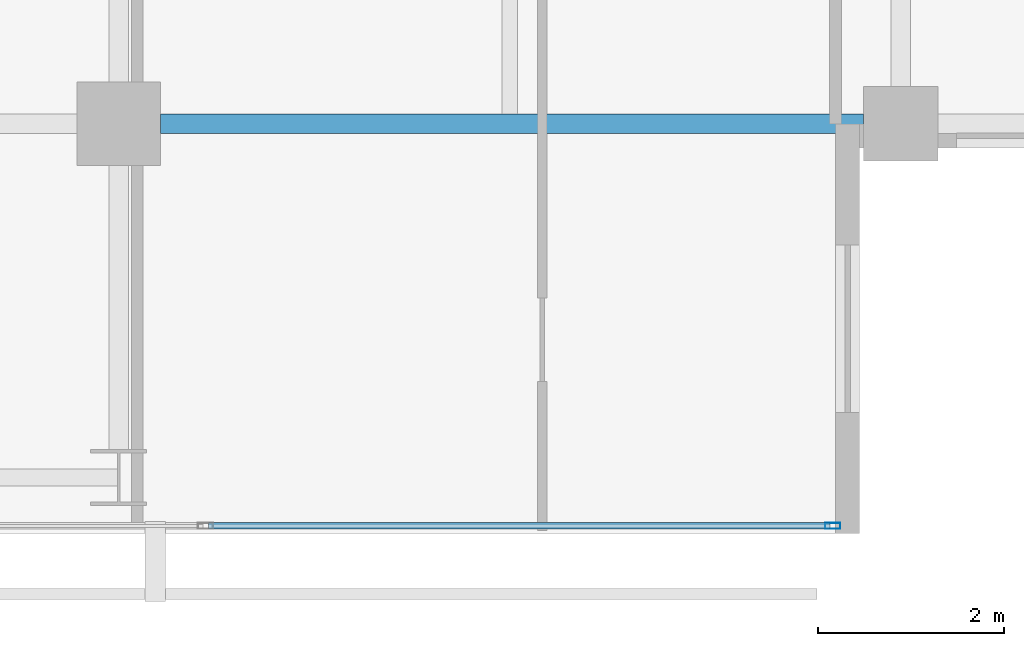
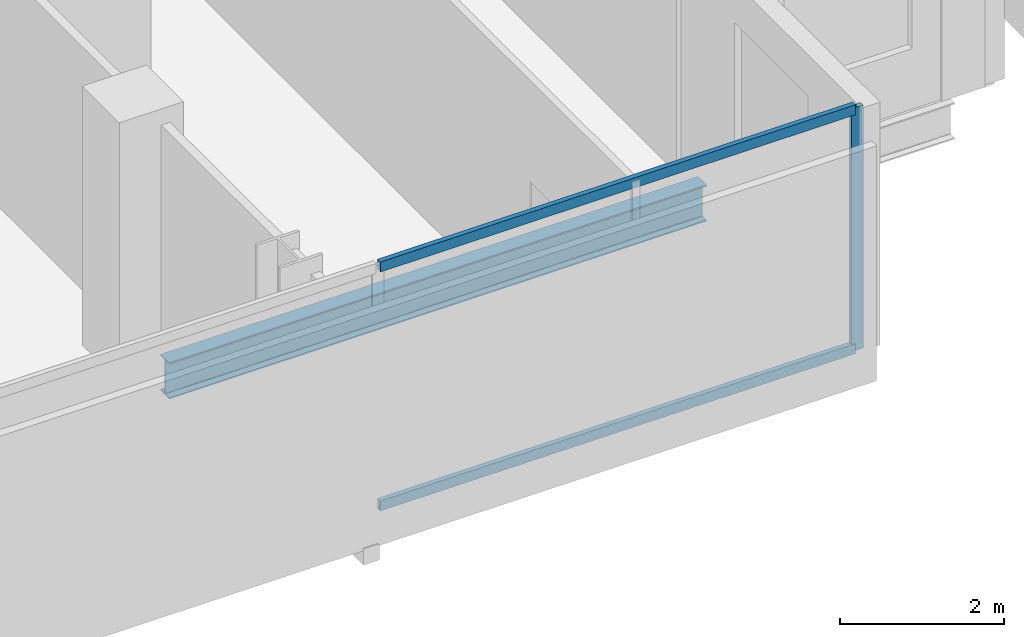
# One storey, part 13 of 34: 3 members, 1 beam, 1 element without a shape of its own.
"""IFC4 building model written with IfcOpenShell, lengths in metres."""

from ifc_helpers import new_model, si_unit, direction, frame, origin, origin_2d, place, context, subcontext, project, spatial, hollow_rectangle, i_section, extrude, material, layer, layer_set, material_profile, profile_set, type_object, element, aggregate, save


model = new_model("IFC4")

# Units and contexts
model_context = context("Model", 3, precision=1e-05, world=origin(), true_north=direction((0.0, 1.0)))
body_context = subcontext(model_context, "Body", "Model", "MODEL_VIEW")
ifc_project = project(units=[si_unit("LENGTHUNIT", "METRE"), si_unit("AREAUNIT", "SQUARE_METRE"), si_unit("VOLUMEUNIT", "CUBIC_METRE"), si_unit("PLANEANGLEUNIT", "RADIAN"), si_unit("MASSUNIT", "GRAM", prefix="KILO")], contexts=[model_context])

# Site, building, storey
site_placement = place(None, origin())
site = spatial("IfcSite", under=ifc_project, at=site_placement, CompositionType="ELEMENT")
building_placement = place(site_placement, origin())
building = spatial("IfcBuilding", under=site, at=building_placement, Name="Maruvema Waterfront Hotel and Observation Tower", CompositionType="ELEMENT")
storey_placement = place(building_placement, frame((0.0, 0.0, 215.949951171875)))
storey = spatial("IfcBuildingStorey", under=building, at=storey_placement, Name="L53", CompositionType="ELEMENT", Elevation=215.949951171875)

# Curtain wall, members
ifc_material_1 = material(Name="Anodised bronze aluminium and solar-control low-E IGU", Category="aluminium")
ifc_layer = layer(ifc_material_1, 0.159912109375, Name="Zone 2 Amber Inner Thermal Curtain Wall System CW-03")
ifc_layer_set = layer_set([ifc_layer], Name="Anodised bronze aluminium and solar-control low-E IGU")
curtain_wall_type = type_object("IfcCurtainWallType", Name="Zone 2 Amber Inner Thermal Curtain Wall System CW-03", PredefinedType="USERDEFINED", material=ifc_layer_set)
curtain_wall_placement = place(storey_placement, origin())
curtain_wall = element("IfcCurtainWall", 1, at=curtain_wall_placement, inside=storey, type_object=curtain_wall_type, Name="L53 Curtain Wall CW-L53-S", ObjectType="UNITISED CURTAIN WALL", PredefinedType="USERDEFINED")
ifc_material_2 = material(Name="Anodised architectural bronze aluminium", Category="aluminium")
ifc_material_profile_1 = material_profile(ifc_material_2, hollow_rectangle(XDim=0.070068359375, YDim=0.14990234375, WallThickness=0.00390625, at=origin_2d()), Name="ALU-T70x150")
ifc_profile_set_1 = profile_set([ifc_material_profile_1], Name="Anodised architectural bronze aluminium")
member_type_1 = type_object("IfcMemberType", Name="Curtain Wall Horizontal Transom ALU-T70x150", PredefinedType="USERDEFINED", material=ifc_profile_set_1)
member_1_placement = place(storey_placement, frame((51.36328125, 4.679931640625, 0.030029296875), z_axis=(1.0, 0.0, 0.0), x_axis=(0.0, 1.0, 0.0)))
member_1 = element("IfcMember", 2, at=member_1_placement, type_object=member_type_1, Name="CW-03 transom 6.1", ObjectType="TRANSOM", PredefinedType="USERDEFINED", context=body_context, shape_type="SweptSolid", body=[
    extrude(hollow_rectangle(XDim=0.070068359375, YDim=0.14990234375, WallThickness=0.00390625, at=origin_2d()), origin(), (0.0, 0.0, 1.0), 6.6767578125),
])
member_2_placement = place(storey_placement, frame((51.36328125, 4.679931640625, 3.580078125), z_axis=(1.0, 0.0, 0.0), x_axis=(0.0, 1.0, 0.0)))
member_2 = element("IfcMember", 3, at=member_2_placement, type_object=member_type_1, Name="CW-03 transom 6.2", ObjectType="TRANSOM", PredefinedType="USERDEFINED", context=body_context, shape_type="SweptSolid", body=[
    extrude(hollow_rectangle(XDim=0.070068359375, YDim=0.14990234375, WallThickness=0.00390625, at=origin_2d()), origin(), (0.0, 0.0, 1.0), 6.6767578125),
])
ifc_material_3 = material(Name="Anodised architectural bronze aluminium", Category="aluminium")
ifc_material_profile_2 = material_profile(ifc_material_3, hollow_rectangle(XDim=0.06494140625, YDim=0.1650390625, WallThickness=0.00390625, at=origin_2d()), Name="ALU-M65x165")
ifc_profile_set_2 = profile_set([ifc_material_profile_2], Name="Anodised architectural bronze aluminium")
member_type_2 = type_object("IfcMemberType", Name="Curtain Wall Primary Mullion ALU-M65x165", PredefinedType="MULLION", material=ifc_profile_set_2)
member_3_placement = place(storey_placement, frame((58.070068359375, 4.679931640625, 0.0), z_axis=(0.0, 0.0, 1.0), x_axis=(0.0, 1.0, 0.0)))
member_3 = element("IfcMember", 4, at=member_3_placement, type_object=member_type_2, Name="CW-03 mullion 7", PredefinedType="MULLION", context=body_context, shape_type="SweptSolid", body=[
    extrude(hollow_rectangle(XDim=0.06494140625, YDim=0.1650390625, WallThickness=0.00390625, at=origin_2d()), origin(), (0.0, 0.0, 1.0), 3.610107421875),
])
aggregate(curtain_wall, [member_3, member_1, member_2])

# Beam
ifc_material_4 = material(Name="Steel ASTM A572 Grade 50", Category="steel")
ifc_material_profile_3 = material_profile(ifc_material_4, i_section(OverallWidth=0.2109375, OverallDepth=0.5390625, WebThickness=0.01171875, FlangeThickness=0.018798828125, FilletRadius=0.014892578125, at=origin_2d()), Name="W530x109.0")
ifc_profile_set_3 = profile_set([ifc_material_profile_3], Name="Steel ASTM A572 Grade 50")
beam_type = type_object("IfcBeamType", Name="Primary Floor Girder W530x109.0", PredefinedType="BEAM", material=ifc_profile_set_3)
beam_placement = place(storey_placement, frame((50.85009765625, 9.0, -0.509521484375), z_axis=(1.0, 0.0, 0.0), x_axis=(0.0, 1.0, 0.0)))
element("IfcBeam", 5, at=beam_placement, inside=storey, type_object=beam_type, Name="L53 Floor Girder EW-09", PredefinedType="BEAM", context=body_context, shape_type="SweptSolid", body=[
    extrude(i_section(OverallWidth=0.2109375, OverallDepth=0.5390625, WebThickness=0.01171875, FlangeThickness=0.018798828125, FilletRadius=0.014892578125, at=origin_2d()), origin(), (0.0, 0.0, 1.0), 7.5498046875),
])

save(model, "model.ifc")
